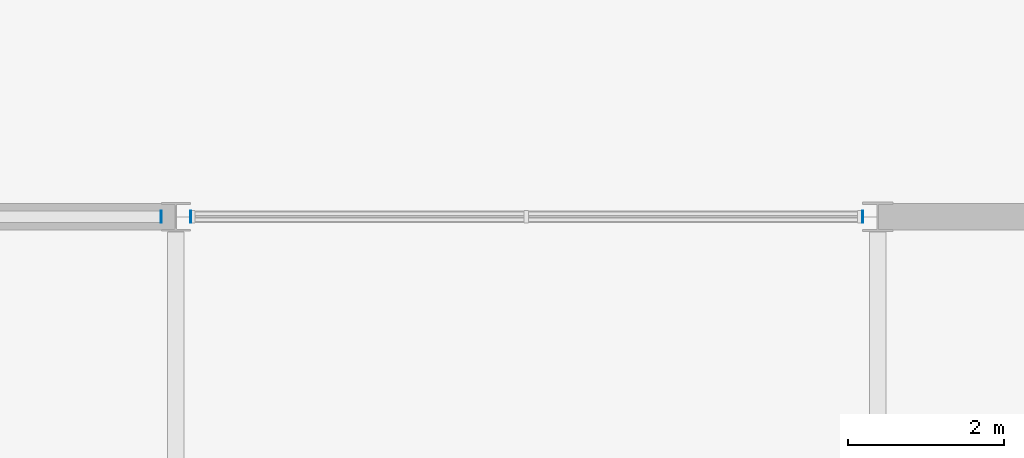
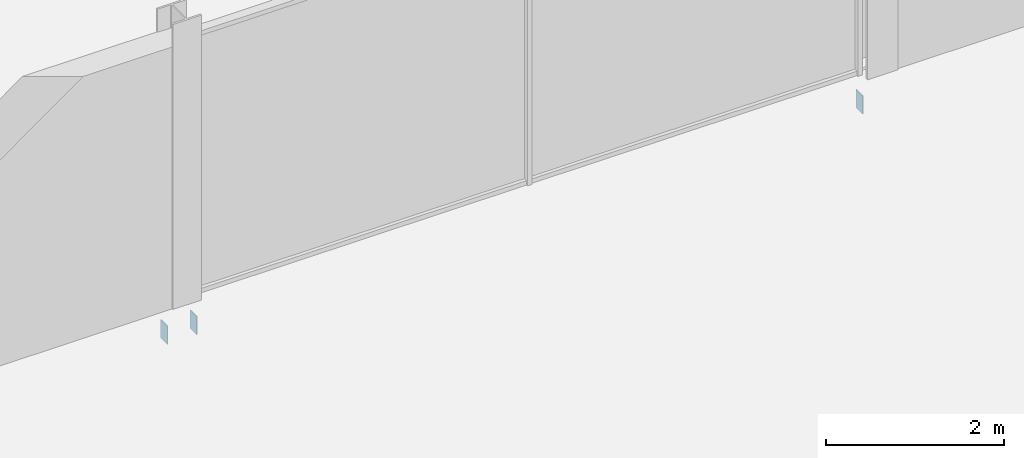
# One storey, part 87 of 105: 3 discrete accessories.
"""IFC4 building model written with IfcOpenShell, lengths in metres."""

from ifc_helpers import new_model, si_unit, direction, frame, origin, place, context, subcontext, project, spatial, polyline, outline, extrude, material, layer, layer_set, type_object, element, save


model = new_model("IFC4")

# Units and contexts
model_context = context("Model", 3, precision=1e-05, world=origin(), true_north=direction((0.0, 1.0)))
body_context = subcontext(model_context, "Body", "Model", "MODEL_VIEW")
ifc_project = project(units=[si_unit("LENGTHUNIT", "METRE"), si_unit("AREAUNIT", "SQUARE_METRE"), si_unit("VOLUMEUNIT", "CUBIC_METRE"), si_unit("PLANEANGLEUNIT", "RADIAN"), si_unit("MASSUNIT", "GRAM", prefix="KILO")], contexts=[model_context])

# Site, building, storey
site_placement = place(None, origin())
site = spatial("IfcSite", under=ifc_project, at=site_placement, CompositionType="ELEMENT")
building_placement = place(site_placement, origin())
building = spatial("IfcBuilding", under=site, at=building_placement, Name="Kisiwana Market Hall", CompositionType="ELEMENT")
storey_placement = place(building_placement, frame((0.0, 0.0, 21.60009765625)))
storey = spatial("IfcBuildingStorey", under=building, at=storey_placement, Name="L04", CompositionType="ELEMENT", Elevation=21.60009765625)

# Discrete accessories
ifc_material = material(Name="Steel S355", Category="steel")
ifc_layer = layer(ifc_material, 0.011962890625)
ifc_layer_set = layer_set([ifc_layer], Name="ACC-ENDCAP-STL")
discrete_accessory_type = type_object("IfcDiscreteAccessoryType", Name="ACC-ENDCAP-STL", PredefinedType="USERDEFINED", material=ifc_layer_set)
discrete_accessory_1_placement = place(storey_placement, frame((0.0, 0.0, -0.5419921875)))
element("IfcDiscreteAccessory", 1, at=discrete_accessory_1_placement, inside=storey, type_object=discrete_accessory_type, Name="End cap plate EC-0063", ObjectType="End cap plate", PredefinedType="USERDEFINED", context=body_context, shape_type="SweptSolid", body=[
    extrude(outline(polyline([(161.804443359375, 110.925048828125), (161.81640625, 110.925048828125), (161.81640625, 111.074951171875), (161.804443359375, 111.074951171875), (161.804443359375, 110.925048828125)])), origin(), (0.0, 0.0, 1.0), 0.25),
])
discrete_accessory_2_placement = place(storey_placement, frame((0.0, 0.0, -0.5419921875)))
element("IfcDiscreteAccessory", 2, at=discrete_accessory_2_placement, inside=storey, type_object=discrete_accessory_type, Name="End cap plate EC-0064", ObjectType="End cap plate", PredefinedType="USERDEFINED", context=body_context, shape_type="SweptSolid", body=[
    extrude(outline(polyline([(170.804443359375, 110.925048828125), (170.81640625, 110.925048828125), (170.81640625, 111.074951171875), (170.804443359375, 111.074951171875), (170.804443359375, 110.925048828125)])), origin(), (0.0, 0.0, 1.0), 0.25),
])
discrete_accessory_3_placement = place(storey_placement, frame((0.0, 0.0, -0.5419921875)))
element("IfcDiscreteAccessory", 3, at=discrete_accessory_3_placement, inside=storey, type_object=discrete_accessory_type, Name="End cap plate EC-0065", ObjectType="End cap plate", PredefinedType="USERDEFINED", context=body_context, shape_type="SweptSolid", body=[
    extrude(outline(polyline([(162.195556640625, 110.925048828125), (162.195556640625, 111.074951171875), (162.18359375, 111.074951171875), (162.18359375, 110.925048828125), (162.195556640625, 110.925048828125)])), origin(), (0.0, 0.0, 1.0), 0.25),
])

save(model, "model.ifc")
